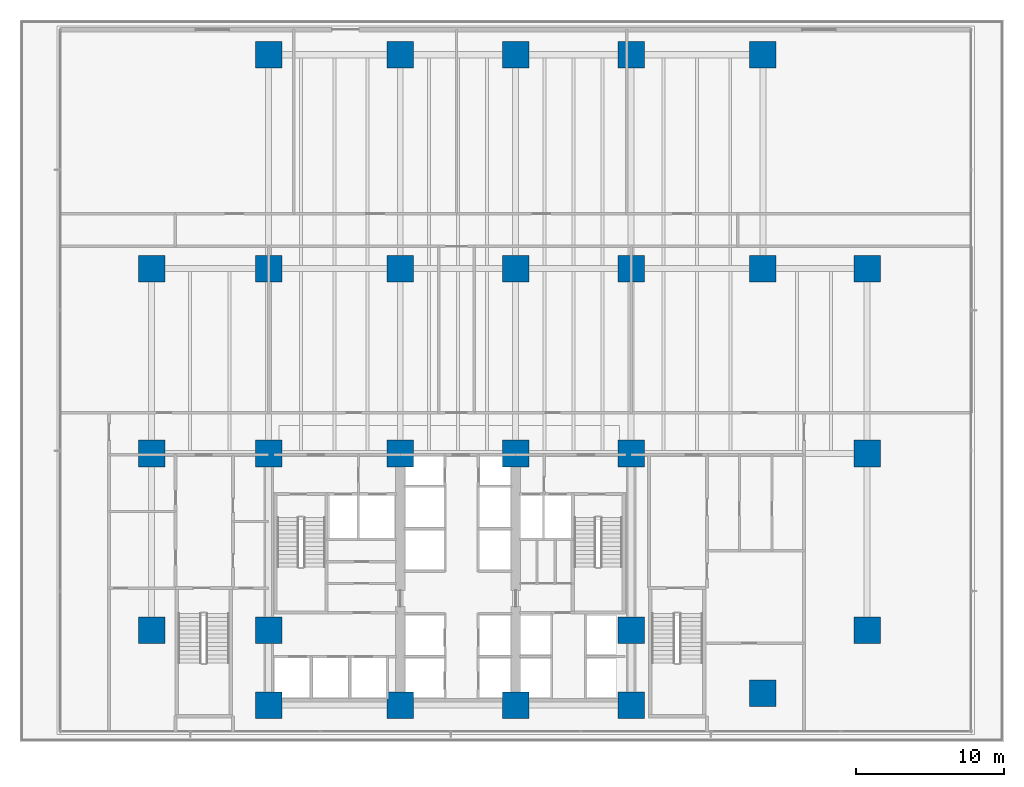
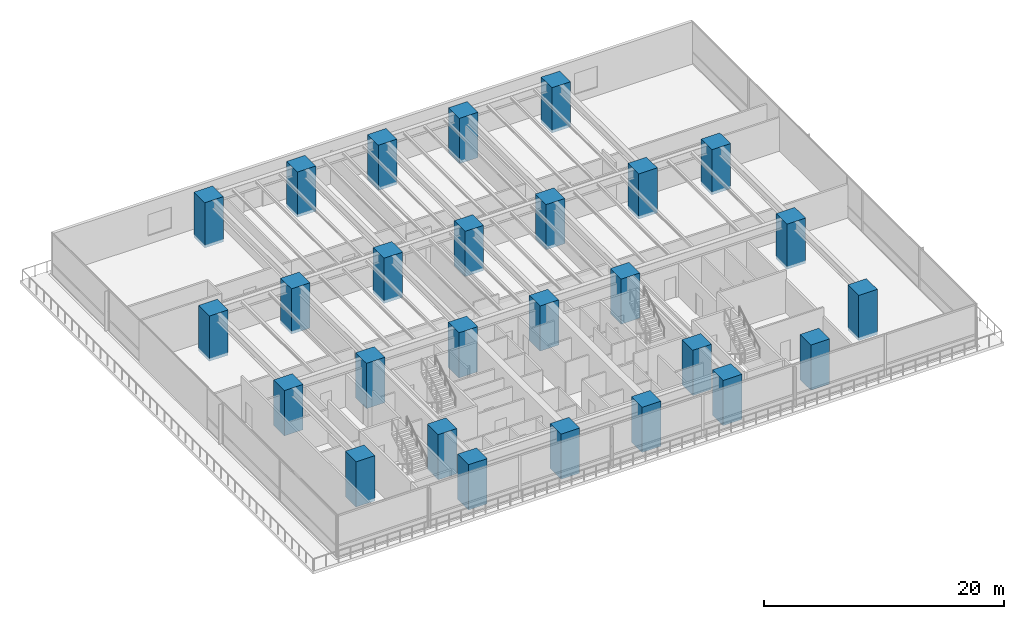
# One storey, part 1 of 26: 27 columns.
"""IFC4 building model written with IfcOpenShell, lengths in metres."""

import ifcopenshell
import ifcopenshell.guid

model = None  # the IFC model being written
_history = None  # IfcOwnerHistory: only IFC2X3 demands one
_inside = {}  # id of a spatial element -> (the spatial element, [elements in it])
_under = {}  # id of a project, library or spatial element -> (it, [spatial elements below it])
_declared = {}  # id of a project -> (the project, [libraries it declares])
_typed = {}  # id of a type object -> (the type object, [elements of that type])
_made_of = {}  # id of a material, layer set ... -> (it, [elements and type objects made of it])


def new_model(schema):
    """Start an empty IFC model of exactly this schema.

    Asked for "IFC4X3", IfcOpenShell would pick the latest addendum, in which some entities
    have other attributes; the version numbers below select the first issue.
    IFC2X3 requires an IfcOwnerHistory on every rooted entity: one is made here for all.
    """
    global model, _history
    if schema == "IFC4X3":
        model = ifcopenshell.file(schema_version=(4, 3, 0, 0))
    else:
        model = ifcopenshell.file(schema=schema)
    _inside.clear()
    _under.clear()
    _declared.clear()
    _typed.clear()
    _made_of.clear()
    _history = None
    if model.schema == "IFC2X3":
        org = make("IfcOrganization", Name="unknown")
        user = make(
            "IfcPersonAndOrganization",
            ThePerson=make("IfcPerson", FamilyName="unknown"),
            TheOrganization=org,
        )
        app = make(
            "IfcApplication",
            ApplicationDeveloper=org,
            Version="unknown",
            ApplicationFullName="unknown",
            ApplicationIdentifier="unknown",
        )
        _history = make(
            "IfcOwnerHistory",
            OwningUser=user,
            OwningApplication=app,
            ChangeAction="ADDED",
            CreationDate=0,
        )
    return model


def make(cls, **values):
    """One entity of the class cls with the attributes given. An attribute that is None is left unset."""
    return model.create_entity(
        cls, **{name: value for name, value in values.items() if value is not None}
    )


def rooted(cls, **values):
    """An entity with a GlobalId (a new one), such as an element, a storey or a relation."""
    return make(cls, GlobalId=ifcopenshell.guid.new(), OwnerHistory=_history, **values)


def si_unit(unit_type, name, prefix=None):
    """IfcSIUnit, for example si_unit("LENGTHUNIT", "METRE", prefix="MILLI")."""
    return make("IfcSIUnit", UnitType=unit_type, Prefix=prefix, Name=name)


def assignment(units):
    """IfcUnitAssignment: the units of a project."""
    return None if units is None else make("IfcUnitAssignment", Units=units)


def point(xyz):
    """IfcCartesianPoint."""
    return None if xyz is None else make("IfcCartesianPoint", Coordinates=xyz)


def direction(xyz):
    """IfcDirection."""
    return None if xyz is None else make("IfcDirection", DirectionRatios=xyz)


def frame(location, z_axis=None, x_axis=None):
    """IfcAxis2Placement3D, a coordinate frame: its origin and axes. An axis left out is left unset."""
    return make(
        "IfcAxis2Placement3D",
        Location=point(location),
        Axis=direction(z_axis),
        RefDirection=direction(x_axis),
    )


def frame_2d(location, x_axis=None):
    """IfcAxis2Placement2D, a coordinate frame in the plane: its origin and x axis."""
    return make(
        "IfcAxis2Placement2D", Location=point(location), RefDirection=direction(x_axis)
    )


def origin():
    """The frame at (0, 0, 0) with its axes left unset."""
    return frame((0.0, 0.0, 0.0))


def origin_2d():
    """The frame at (0, 0) in the plane with its x axis left unset."""
    return frame_2d((0.0, 0.0))


def place(relative_to, where):
    """IfcLocalPlacement: puts the frame where relative to a parent placement (None: the world)."""
    return make(
        "IfcLocalPlacement", PlacementRelTo=relative_to, RelativePlacement=where
    )


def context(
    kind, dimensions, precision=None, world=None, true_north=None, identifier=None
):
    """IfcGeometricRepresentationContext, for example the 3D "Model" context."""
    return make(
        "IfcGeometricRepresentationContext",
        ContextIdentifier=identifier,
        ContextType=kind,
        CoordinateSpaceDimension=dimensions,
        Precision=precision,
        WorldCoordinateSystem=world,
        TrueNorth=true_north,
    )


def subcontext(parent, identifier, kind, view, scale=None):
    """IfcGeometricRepresentationSubContext, for example "Body" below "Model"."""
    return make(
        "IfcGeometricRepresentationSubContext",
        ContextIdentifier=identifier,
        ContextType=kind,
        ParentContext=parent,
        TargetScale=scale,
        TargetView=view,
    )


def project(units=None, contexts=None):
    """IfcProject with its units and contexts."""
    return rooted(
        "IfcProject",
        Name="project",
        RepresentationContexts=contexts,
        UnitsInContext=assignment(units),
    )


def spatial(cls, under=None, at=None, **own):
    """A site, building, storey or space (cls), placed at a placement, below another one or the project."""
    s = rooted(cls, ObjectPlacement=at, **own)
    if under is not None:
        _under.setdefault(under.id(), (under, []))[1].append(s)
    return s


def profile(cls, at=None, kind="AREA", **sizes):
    """A parametric profile (cls). Its sizes go by their IFC names, for example OverallWidth=200.0."""
    return make(cls, ProfileType=kind, Position=at, **sizes)


def rectangle(**sizes):
    """IfcRectangleProfileDef."""
    return profile("IfcRectangleProfileDef", **sizes)


def extrude(swept, where, along, depth):
    """IfcExtrudedAreaSolid: the profile swept, set in the frame where, extruded along a direction by depth."""
    return make(
        "IfcExtrudedAreaSolid",
        SweptArea=swept,
        Position=where,
        ExtrudedDirection=direction(along),
        Depth=depth,
    )


def shape(context_of_items, identifier, shape_type, items):
    """IfcShapeRepresentation: the items that make up one representation, for example the "Body"."""
    return make(
        "IfcShapeRepresentation",
        ContextOfItems=context_of_items,
        RepresentationIdentifier=identifier,
        RepresentationType=shape_type,
        Items=items,
    )


def material(Name=None, Category=None):
    """IfcMaterial."""
    return make("IfcMaterial", Name=Name, Category=Category)


def material_profile(
    of_material, cross_section, Name=None, Category=None, Priority=None
):
    """IfcMaterialProfile: a cross section and its material."""
    return make(
        "IfcMaterialProfile",
        Name=Name,
        Material=of_material,
        Profile=cross_section,
        Priority=Priority,
        Category=Category,
    )


def profile_set(profiles, Name=None, composite=None):
    """IfcMaterialProfileSet."""
    return make(
        "IfcMaterialProfileSet",
        Name=Name,
        MaterialProfiles=profiles,
        CompositeProfile=composite,
    )


def made_of(thing, what):
    """Note that an element or type object is made of a material, layer set ...; save() writes the relation."""
    if what is not None:
        _made_of.setdefault(what.id(), (what, []))[1].append(thing)
    return thing


def type_object(cls, material=None, **own):
    """A type object (cls), such as IfcWallType, which elements share."""
    return made_of(rooted(cls, **own), material)


def element(
    cls,
    number,
    at=None,
    inside=None,
    cuts=None,
    type_object=None,
    material=None,
    context=None,
    identifier="Body",
    shape_type=None,
    held_by="IfcProductDefinitionShape",
    body=None,
    shapes=None,
    **own,
):
    """One element of the class cls, such as IfcWall. Its Tag is "e" and its number.

    at: its placement. inside: the storey or other place that contains it. cuts: it is an
    opening in that element (IfcRelVoidsElement). A single representation is given by context,
    identifier, shape_type and body (its items); several are given by shapes. held_by: the class
    of the entity that holds the representations. save() writes the other relations.
    """
    e = rooted(cls, Tag="e%d" % number, ObjectPlacement=at, **own)
    if body is not None:
        shapes = [shape(context, identifier, shape_type, body)]
    if shapes is not None:
        e.Representation = make(held_by, Representations=shapes)
    if inside is not None:
        _inside.setdefault(inside.id(), (inside, []))[1].append(e)
    if cuts is not None:
        rooted(
            "IfcRelVoidsElement", RelatingBuildingElement=cuts, RelatedOpeningElement=e
        )
    if type_object is not None:
        _typed.setdefault(type_object.id(), (type_object, []))[1].append(e)
    return made_of(e, material)


def aggregate(whole, parts):
    """IfcRelAggregates: a whole, such as a stair, and the parts it consists of."""
    return rooted("IfcRelAggregates", RelatingObject=whole, RelatedObjects=parts)


def save(model, path):
    """Write the relations noted so far, then the file.

    IfcRelAggregates (storeys below a building ...), IfcRelContainedInSpatialStructure (elements
    in a storey), IfcRelDefinesByType, IfcRelAssociatesMaterial and IfcRelDeclares: one each for
    every whole, place, type object, material and project.
    """
    for whole, parts in _under.values():
        aggregate(whole, parts)
    for where, things in _inside.values():
        rooted(
            "IfcRelContainedInSpatialStructure",
            RelatedElements=things,
            RelatingStructure=where,
        )
    for kind, things in _typed.values():
        rooted("IfcRelDefinesByType", RelatedObjects=things, RelatingType=kind)
    for what, things in _made_of.values():
        rooted("IfcRelAssociatesMaterial", RelatedObjects=things, RelatingMaterial=what)
    for by, libraries in _declared.values():
        rooted("IfcRelDeclares", RelatingContext=by, RelatedDefinitions=libraries)
    model.write(path)


model = new_model("IFC4")

# Units and contexts
model_context = context("Model", 3, precision=1e-05, world=origin(), true_north=direction((0.0, 1.0)))
body_context = subcontext(model_context, "Body", "Model", "MODEL_VIEW")
ifc_project = project(units=[si_unit("LENGTHUNIT", "METRE"), si_unit("AREAUNIT", "SQUARE_METRE"), si_unit("VOLUMEUNIT", "CUBIC_METRE"), si_unit("PLANEANGLEUNIT", "RADIAN"), si_unit("MASSUNIT", "GRAM", prefix="KILO")], contexts=[model_context])

# Site, building, storey
site_placement = place(None, origin())
site = spatial("IfcSite", under=ifc_project, at=site_placement, CompositionType="ELEMENT")
building_placement = place(site_placement, origin())
building = spatial("IfcBuilding", under=site, at=building_placement, Name="Qalmaran Belvedere Hotel", CompositionType="ELEMENT")
storey_placement = place(building_placement, frame((0.0, 0.0, 19.199951171875)))
storey = spatial("IfcBuildingStorey", under=building, at=storey_placement, Name="L04", CompositionType="ELEMENT", Elevation=19.199951171875)

# Columns
ifc_material = material(Name="Concrete C60/75", Category="concrete")
ifc_material_profile = material_profile(ifc_material, rectangle(XDim=1.800048828125, YDim=1.800048828125, at=origin_2d()), Name="MC1800X1800")
ifc_profile_set = profile_set([ifc_material_profile], Name="Concrete C60/75")
column_type = type_object("IfcColumnType", Name="COL-POD-MC1800", PredefinedType="COLUMN", material=ifc_profile_set)
for number, where, z_axis, x_axis, name in (
    (1, (20.300048828125, 3.5, -0.300048828125), (0.0, 0.0, 1.0), (1.0, 0.0, 0.0), "L04 Column C4B"),
    (2, (29.199951171875, 3.5, -0.300048828125), (0.0, 0.0, 1.0), (1.0, 0.0, 0.0), "L04 Column C5B"),
    (3, (37.0, 3.5, -0.300048828125), (0.0, 0.0, 1.0), (1.0, 0.0, 0.0), "L04 Column C6B"),
    (4, (44.800048828125, 3.5, -0.300048828125), (0.0, 0.0, 1.0), (1.0, 0.0, 0.0), "L04 Column C7B"),
    (5, (20.300048828125, 8.550048828125, -0.300048828125), (0.0, 0.0, 1.0), (1.0, 0.0, 0.0), "L04 Column C4C"),
    (6, (44.800048828125, 8.550048828125, -0.300048828125), (0.0, 0.0, 1.0), (1.0, 0.0, 0.0), "L04 Column C7C"),
    (7, (20.300048828125, 20.5, -0.300048828125), (0.0, 0.0, 1.0), (1.0, 0.0, 0.0), "L04 Column C4D"),
    (8, (29.199951171875, 20.5, -0.300048828125), (0.0, 0.0, 1.0), (1.0, 0.0, 0.0), "L04 Column C5D"),
    (9, (37.0, 20.5, -0.300048828125), (0.0, 0.0, 1.0), (1.0, 0.0, 0.0), "L04 Column C6D"),
    (10, (44.800048828125, 20.5, -0.300048828125), (0.0, 0.0, 1.0), (1.0, 0.0, 0.0), "L04 Column C7D"),
    (11, (20.300048828125, 33.0, -0.300048828125), (0.0, 0.0, 1.0), (1.0, 0.0, 0.0), "L04 Column C4F"),
    (12, (29.199951171875, 33.0, -0.300048828125), (0.0, 0.0, 1.0), (1.0, 0.0, 0.0), "L04 Column C5F"),
    (13, (37.0, 33.0, -0.300048828125), (0.0, 0.0, 1.0), (1.0, 0.0, 0.0), "L04 Column C6F"),
    (14, (44.800048828125, 33.0, -0.300048828125), (0.0, 0.0, 1.0), (1.0, 0.0, 0.0), "L04 Column C7F"),
    (15, (12.39990234375, 8.550048828125, -0.300048828125), (0.0, 0.0, 1.0), (1.0, 0.0, 0.0), "L04 Column CW1"),
    (16, (12.39990234375, 20.5, -0.300048828125), (0.0, 0.0, 1.0), (1.0, 0.0, 0.0), "L04 Column CW3"),
    (17, (12.39990234375, 33.0, -0.300048828125), (0.0, 0.0, 1.0), (1.0, 0.0, 0.0), "L04 Column CW4"),
    (18, (20.300048828125, 47.449951171875, -0.300048828125), (0.0, 0.0, 1.0), (1.0, 0.0, 0.0), "L04 Column CN1"),
    (19, (29.199951171875, 47.449951171875, -0.300048828125), (0.0, 0.0, 1.0), (1.0, 0.0, 0.0), "L04 Column CN2"),
    (20, (37.0, 47.449951171875, -0.300048828125), (0.0, 0.0, 1.0), (1.0, 0.0, 0.0), "L04 Column CN3"),
    (21, (44.800048828125, 47.449951171875, -0.300048828125), (0.0, 0.0, 1.0), (1.0, 0.0, 0.0), "L04 Column CN4"),
    (22, (53.699951171875, 47.449951171875, -0.300048828125), (0.0, 0.0, 1.0), (1.0, 0.0, 0.0), "L04 Column CN5"),
    (23, (60.75, 8.550048828125, -0.300048828125), (0.0, 0.0, 1.0), (1.0, 0.0, 0.0), "L04 Column CE1"),
    (24, (60.75, 20.5, -0.300048828125), (0.0, 0.0, 1.0), (1.0, 0.0, 0.0), "L04 Column CE3"),
    (25, (60.75, 33.0, -0.300048828125), (0.0, 0.0, 1.0), (1.0, 0.0, 0.0), "L04 Column CE4"),
    (26, (53.699951171875, 4.300048828125, -0.300048828125), (0.0, 0.0, 1.0), (1.0, 0.0, 0.0), "L04 Column CSE1"),
    (27, (53.699951171875, 33.0, -0.300048828125), (0.0, 0.0, 1.0), (1.0, 0.0, 0.0), "L04 Column CSN5"),
):
    element("IfcColumn", number, at=place(storey_placement, frame(where, z_axis=z_axis, x_axis=x_axis)), inside=storey, type_object=column_type, Name=name, PredefinedType="COLUMN", context=body_context, shape_type="SweptSolid", body=[
        extrude(rectangle(XDim=1.800048828125, YDim=1.800048828125, at=origin_2d()), origin(), (0.0, 0.0, 1.0), 4.60009765625),
    ])

save(model, "model.ifc")
